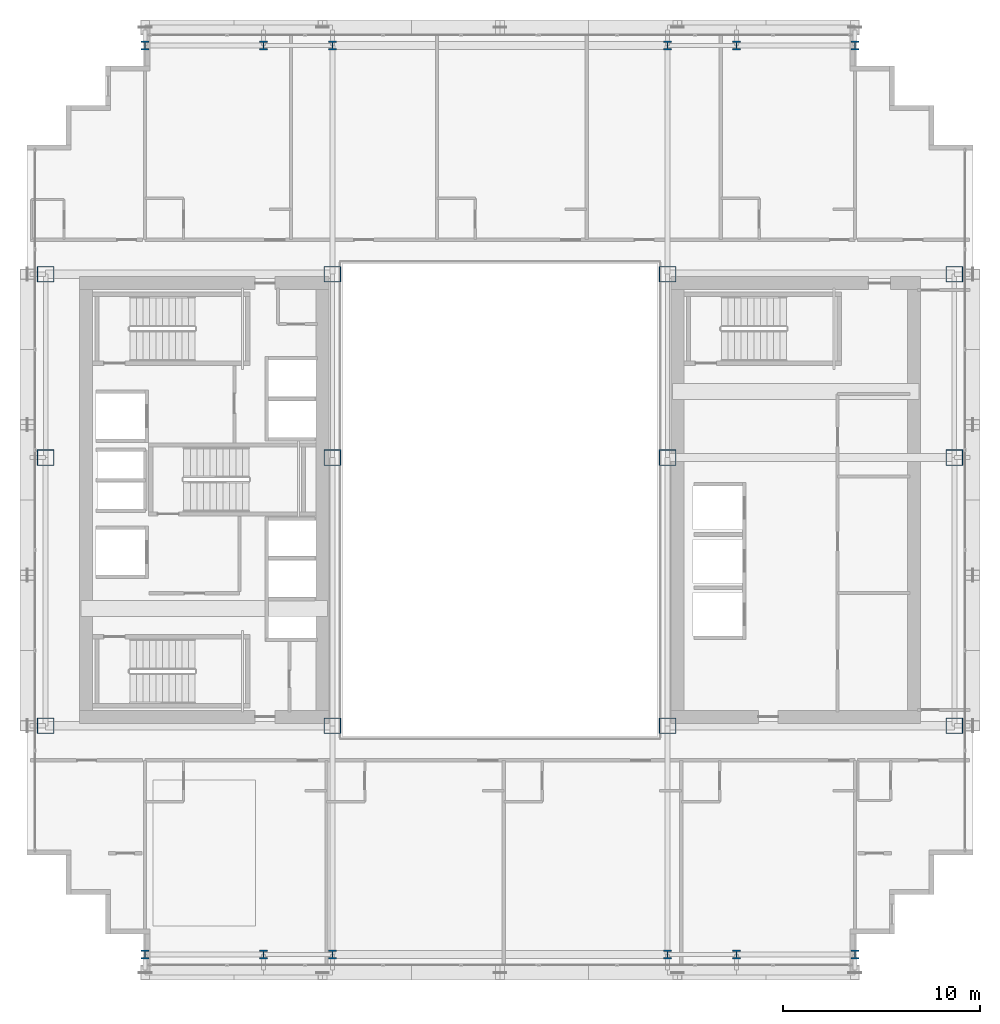
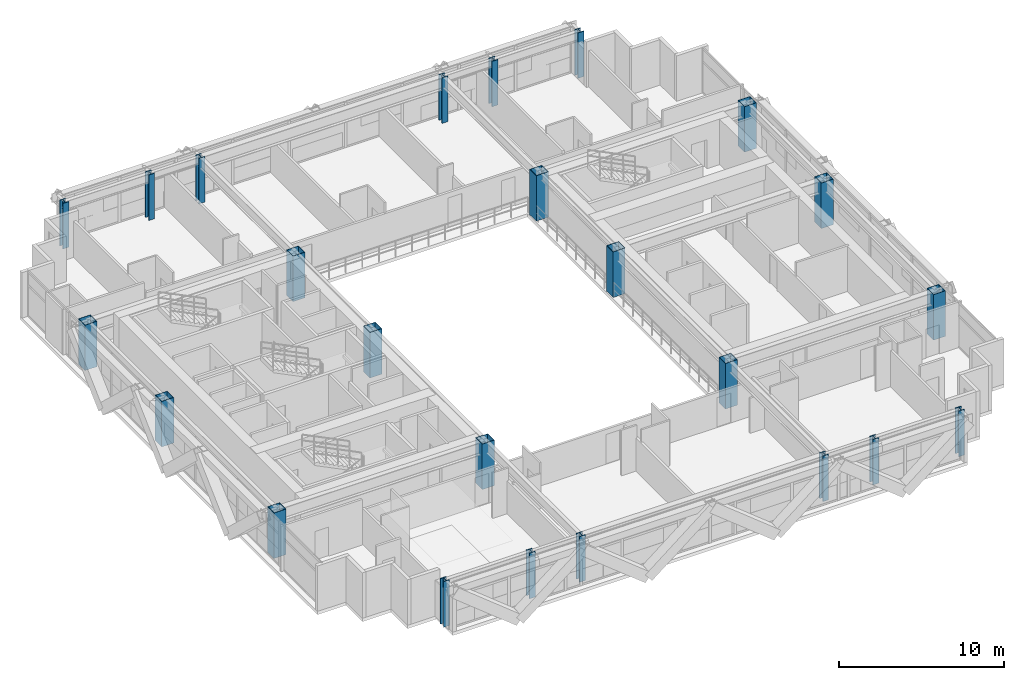
# One storey, part 1 of 35: 24 columns.
"""IFC4 building model written with IfcOpenShell, lengths in metres."""

from ifc_helpers import new_model, si_unit, direction, frame, origin, origin_2d, place, context, subcontext, project, spatial, hollow_rectangle, i_section, extrude, source, transform, mapped, material, material_profile, profile_set, type_object, element, save


model = new_model("IFC4")

# Units and contexts
model_context = context("Model", 3, precision=1e-05, world=origin(), true_north=direction((0.0, 1.0)))
body_context = subcontext(model_context, "Body", "Model", "MODEL_VIEW")
ifc_project = project(units=[si_unit("LENGTHUNIT", "METRE"), si_unit("AREAUNIT", "SQUARE_METRE"), si_unit("VOLUMEUNIT", "CUBIC_METRE"), si_unit("PLANEANGLEUNIT", "RADIAN"), si_unit("MASSUNIT", "GRAM", prefix="KILO")], contexts=[model_context])

# Site, building, storey
site_placement = place(None, origin())
site = spatial("IfcSite", under=ifc_project, at=site_placement, CompositionType="ELEMENT")
building_placement = place(site_placement, origin())
building = spatial("IfcBuilding", under=site, at=building_placement, Name="Ocotamira Hotel", CompositionType="ELEMENT")
storey_placement = place(building_placement, frame((0.0, 0.0, 115.199951171875)))
storey = spatial("IfcBuildingStorey", under=building, at=storey_placement, Name="L28", CompositionType="ELEMENT", Elevation=115.199951171875)

# Columns
ifc_material = material(Name="Steel ASTM A913 Grade 65", Category="steel")
ifc_material_profile_1 = material_profile(ifc_material, hollow_rectangle(XDim=0.85009765625, YDim=0.800048828125, WallThickness=0.031982421875, at=origin_2d()), Name="BOX800X850X32")
ifc_profile_set_1 = profile_set([ifc_material_profile_1], Name="Steel ASTM A913 Grade 65")
column_type_1 = type_object("IfcColumnType", Name="COL-BOX800", PredefinedType="COLUMN", material=ifc_profile_set_1)
shared_shape_1 = source(origin(), body_context, "Body", "SweptSolid", [
    extrude(hollow_rectangle(XDim=0.85009765625, YDim=0.800048828125, WallThickness=0.031982421875, at=origin_2d()), origin(), (0.0, 0.0, 1.0), 3.360107421875),
])
for number, where, z_axis, x_axis, name in (
    (1, (8.949951171875, 14.550048828125, 0.0), (0.0, 0.0, 1.0), (1.0, 0.0, 0.0), "L28 Column TW8_14"),
    (2, (23.5, 14.550048828125, 0.0), (0.0, 0.0, 1.0), (1.0, 0.0, 0.0), "L28 Column TW23_14"),
    (3, (40.5, 14.550048828125, 0.0), (0.0, 0.0, 1.0), (1.0, 0.0, 0.0), "L28 Column TE40_14"),
    (4, (55.050048828125, 14.550048828125, 0.0), (0.0, 0.0, 1.0), (1.0, 0.0, 0.0), "L28 Column TE55_14"),
    (5, (8.949951171875, 28.14990234375, 0.0), (0.0, 0.0, 1.0), (1.0, 0.0, 0.0), "L28 Column TW8_28"),
    (6, (23.5, 28.14990234375, 0.0), (0.0, 0.0, 1.0), (1.0, 0.0, 0.0), "L28 Column TW23_28"),
    (7, (40.5, 28.14990234375, 0.0), (0.0, 0.0, 1.0), (1.0, 0.0, 0.0), "L28 Column TE40_28"),
    (8, (55.050048828125, 28.14990234375, 0.0), (0.0, 0.0, 1.0), (1.0, 0.0, 0.0), "L28 Column TE55_28"),
    (9, (8.949951171875, 37.449951171875, 0.0), (0.0, 0.0, 1.0), (1.0, 0.0, 0.0), "L28 Column TW8_37"),
    (10, (23.5, 37.449951171875, 0.0), (0.0, 0.0, 1.0), (1.0, 0.0, 0.0), "L28 Column TW23_37"),
    (11, (40.5, 37.449951171875, 0.0), (0.0, 0.0, 1.0), (1.0, 0.0, 0.0), "L28 Column TE40_37"),
    (12, (55.050048828125, 37.449951171875, 0.0), (0.0, 0.0, 1.0), (1.0, 0.0, 0.0), "L28 Column TE55_37"),
):
    element("IfcColumn", number, at=place(storey_placement, frame(where, z_axis=z_axis, x_axis=x_axis)), inside=storey, type_object=column_type_1, Name=name, PredefinedType="COLUMN", context=body_context, shape_type="MappedRepresentation", body=[
        mapped(shared_shape_1, transform((0.0, 0.0, 0.0), scale=1.0)),
    ])
ifc_material_profile_2 = material_profile(ifc_material, i_section(OverallWidth=0.412109375, OverallDepth=0.43505859375, WebThickness=0.035888671875, FlangeThickness=0.057373046875, FilletRadius=0.02490234375, at=origin_2d()), Name="W14X311")
ifc_profile_set_2 = profile_set([ifc_material_profile_2], Name="Steel ASTM A913 Grade 65")
column_type_2 = type_object("IfcColumnType", Name="COL-W14X311", PredefinedType="COLUMN", material=ifc_profile_set_2)
shared_shape_2 = source(origin(), body_context, "Body", "SweptSolid", [
    extrude(i_section(OverallWidth=0.412109375, OverallDepth=0.43505859375, WebThickness=0.035888671875, FlangeThickness=0.057373046875, FilletRadius=0.02490234375, at=origin_2d()), origin(), (0.0, 0.0, 1.0), 3.360107421875),
])
for number, where, z_axis, x_axis, name in (
    (13, (14.0, 2.949951171875, 0.0), (0.0, 0.0, 1.0), (1.0, 0.0, 0.0), "L28 Column NSP1_14"),
    (14, (20.0, 2.949951171875, 0.0), (0.0, 0.0, 1.0), (1.0, 0.0, 0.0), "L28 Column NSP1_20"),
    (15, (23.5, 2.949951171875, 0.0), (0.0, 0.0, 1.0), (1.0, 0.0, 0.0), "L28 Column NSP1_23"),
    (16, (40.5, 2.949951171875, 0.0), (0.0, 0.0, 1.0), (1.0, 0.0, 0.0), "L28 Column NSP1_40"),
    (17, (44.0, 2.949951171875, 0.0), (0.0, 0.0, 1.0), (1.0, 0.0, 0.0), "L28 Column NSP1_44"),
    (18, (50.0, 2.949951171875, 0.0), (0.0, 0.0, 1.0), (1.0, 0.0, 0.0), "L28 Column NSP1_50"),
    (19, (14.0, 49.050048828125, 0.0), (0.0, 0.0, 1.0), (1.0, 0.0, 0.0), "L28 Column NSP2_14"),
    (20, (20.0, 49.050048828125, 0.0), (0.0, 0.0, 1.0), (1.0, 0.0, 0.0), "L28 Column NSP2_20"),
    (21, (23.5, 49.050048828125, 0.0), (0.0, 0.0, 1.0), (1.0, 0.0, 0.0), "L28 Column NSP2_23"),
    (22, (40.5, 49.050048828125, 0.0), (0.0, 0.0, 1.0), (1.0, 0.0, 0.0), "L28 Column NSP2_40"),
    (23, (44.0, 49.050048828125, 0.0), (0.0, 0.0, 1.0), (1.0, 0.0, 0.0), "L28 Column NSP2_44"),
    (24, (50.0, 49.050048828125, 0.0), (0.0, 0.0, 1.0), (1.0, 0.0, 0.0), "L28 Column NSP2_50"),
):
    element("IfcColumn", number, at=place(storey_placement, frame(where, z_axis=z_axis, x_axis=x_axis)), inside=storey, type_object=column_type_2, Name=name, PredefinedType="COLUMN", context=body_context, shape_type="MappedRepresentation", body=[
        mapped(shared_shape_2, transform((0.0, 0.0, 0.0), scale=1.0)),
    ])

save(model, "model.ifc")
